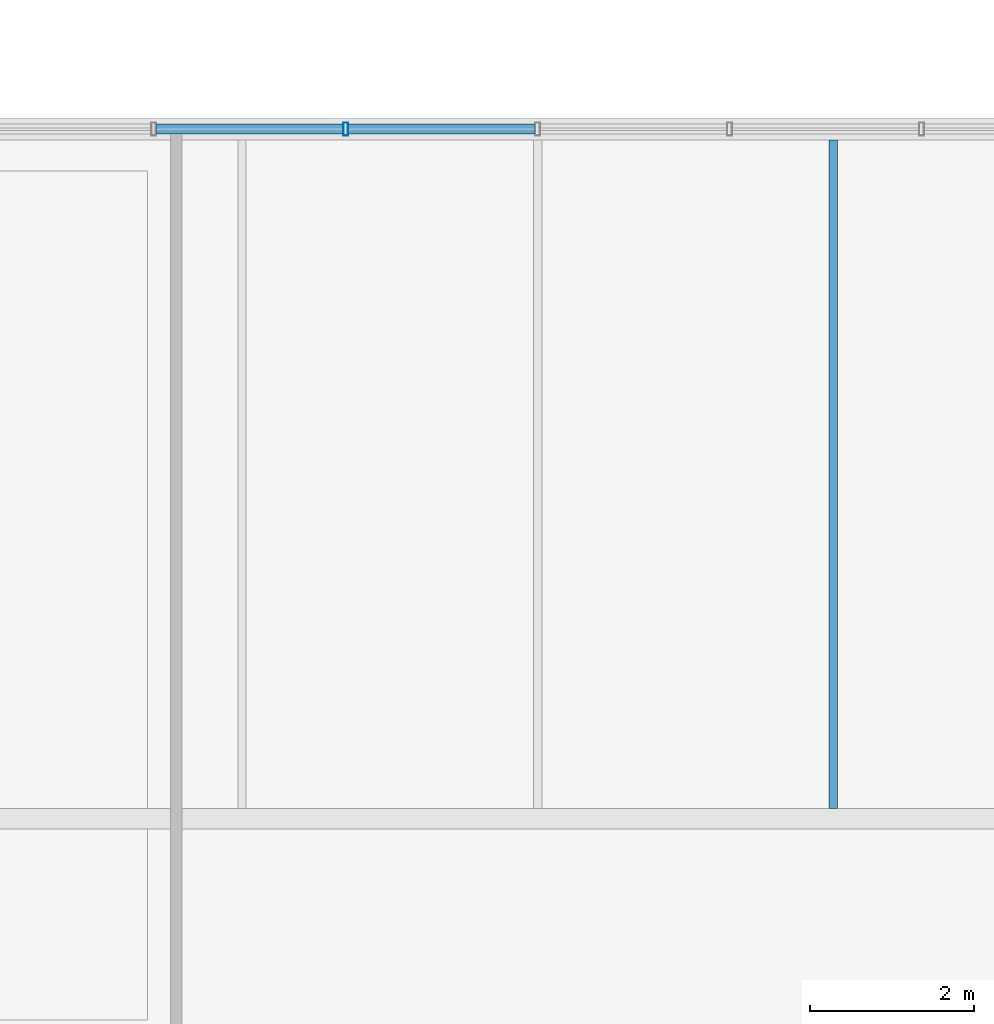
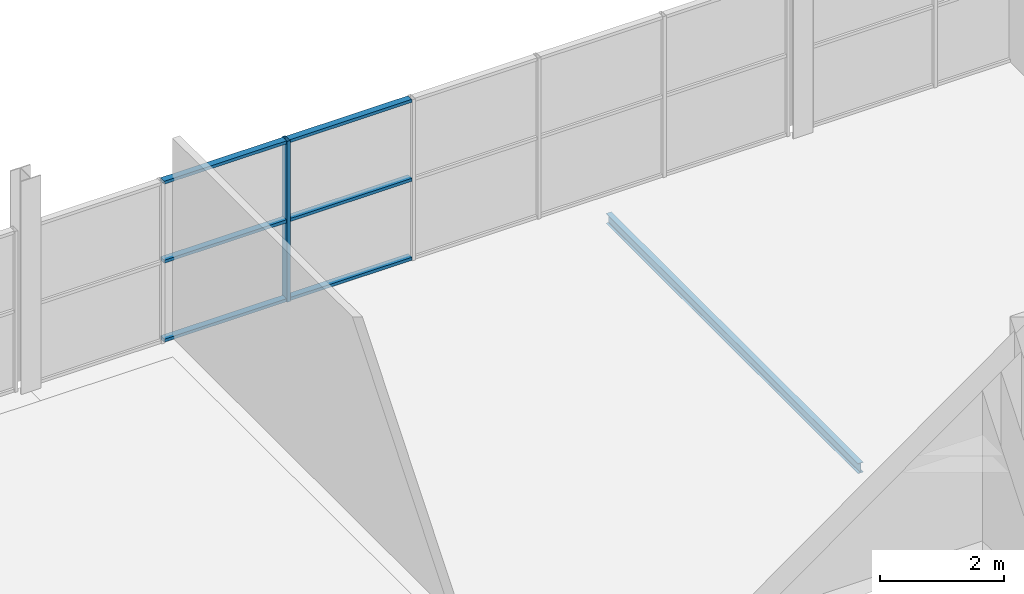
# One storey, part 77 of 161: 7 members, 1 beam, 1 element without a shape of its own.
"""IFC4 building model written with IfcOpenShell, lengths in metres."""

from ifc_helpers import new_model, si_unit, direction, frame, origin, origin_2d, place, context, subcontext, project, spatial, hollow_rectangle, i_section, extrude, material, material_profile, profile_set, type_object, element, aggregate, save


model = new_model("IFC4")

# Units and contexts
model_context = context("Model", 3, precision=1e-05, world=origin(), true_north=direction((0.0, 1.0)))
body_context = subcontext(model_context, "Body", "Model", "MODEL_VIEW")
ifc_project = project(units=[si_unit("LENGTHUNIT", "METRE"), si_unit("AREAUNIT", "SQUARE_METRE"), si_unit("VOLUMEUNIT", "CUBIC_METRE"), si_unit("PLANEANGLEUNIT", "RADIAN"), si_unit("MASSUNIT", "GRAM", prefix="KILO"), si_unit("THERMODYNAMICTEMPERATUREUNIT", "KELVIN")], contexts=[model_context])

# Site, building, storey
site_placement = place(None, origin())
site = spatial("IfcSite", under=ifc_project, at=site_placement, CompositionType="ELEMENT")
building_placement = place(site_placement, origin())
building = spatial("IfcBuilding", under=site, at=building_placement, Name="Nduvali Passage Aquatics Centre", CompositionType="ELEMENT")
storey_placement = place(building_placement, frame((0.0, 0.0, 4.800048828125)))
storey = spatial("IfcBuildingStorey", under=building, at=storey_placement, Name="L01", CompositionType="ELEMENT", Elevation=4.800048828125)

# Curtain wall, members
ifc_material_1 = material(Name="Aluminium EN AW-6063 T6", Category="aluminium")
curtain_wall_type = type_object("IfcCurtainWallType", Name="ENV-CW-WELL", PredefinedType="NOTDEFINED", material=ifc_material_1)
curtain_wall_placement = place(storey_placement, origin())
curtain_wall = element("IfcCurtainWall", 1, at=curtain_wall_placement, inside=storey, type_object=curtain_wall_type, Name="L01 North Avenue Fitness CW 103", PredefinedType="NOTDEFINED")
ifc_material_profile_1 = material_profile(ifc_material_1, hollow_rectangle(XDim=0.06005859375, YDim=0.159912109375, WallThickness=0.00390625, at=origin_2d()), Name="ALU MULLION 60x160x4")
ifc_profile_set_1 = profile_set([ifc_material_profile_1], Name="Aluminium EN AW-6063 T6")
member_type_1 = type_object("IfcMemberType", Name="ENV-MEM-MUL60", PredefinedType="MULLION", material=ifc_profile_set_1)
member_1_placement = place(storey_placement, frame((73.26171875, 117.60009765625, 0.0), z_axis=(0.0, 0.0, 1.0), x_axis=(1.0, 0.0, 0.0)))
member_1 = element("IfcMember", 2, at=member_1_placement, type_object=member_type_1, Name="North Avenue Fitness CW Mullion 3", PredefinedType="MULLION", context=body_context, shape_type="SweptSolid", body=[
    extrude(hollow_rectangle(XDim=0.06005859375, YDim=0.159912109375, WallThickness=0.00390625, at=origin_2d()), origin(), (0.0, 0.0, 1.0), 3.173828125),
])
ifc_material_profile_2 = material_profile(ifc_material_1, hollow_rectangle(XDim=0.1201171875, YDim=0.06005859375, WallThickness=0.00390625, at=origin_2d()), Name="ALU TRANSOM 120x60x4")
ifc_profile_set_2 = profile_set([ifc_material_profile_2], Name="Aluminium EN AW-6063 T6")
member_type_2 = type_object("IfcMemberType", Name="ENV-MEM-TRN60", PredefinedType="USERDEFINED", material=ifc_profile_set_2)
member_2_placement = place(storey_placement, frame((70.95361328125, 117.60009765625, 0.030029296875), z_axis=(1.0, 0.0, 0.0), x_axis=(0.0, 1.0, 0.0)))
member_2 = element("IfcMember", 3, at=member_2_placement, type_object=member_type_2, Name="North Avenue Fitness CW Transom B2-R0", ObjectType="TRANSOM", PredefinedType="USERDEFINED", context=body_context, shape_type="SweptSolid", body=[
    extrude(hollow_rectangle(XDim=0.1201171875, YDim=0.06005859375, WallThickness=0.00390625, at=origin_2d()), origin(), (0.0, 0.0, 1.0), 2.278076171875),
])
member_3_placement = place(storey_placement, frame((70.95361328125, 117.60009765625, 1.5869140625), z_axis=(1.0, 0.0, 0.0), x_axis=(0.0, 1.0, 0.0)))
member_3 = element("IfcMember", 4, at=member_3_placement, type_object=member_type_2, Name="North Avenue Fitness CW Transom B2-R1", ObjectType="TRANSOM", PredefinedType="USERDEFINED", context=body_context, shape_type="SweptSolid", body=[
    extrude(hollow_rectangle(XDim=0.1201171875, YDim=0.06005859375, WallThickness=0.00390625, at=origin_2d()), origin(), (0.0, 0.0, 1.0), 2.278076171875),
])
member_4_placement = place(storey_placement, frame((70.95361328125, 117.60009765625, 3.143798828125), z_axis=(1.0, 0.0, 0.0), x_axis=(0.0, 1.0, 0.0)))
member_4 = element("IfcMember", 5, at=member_4_placement, type_object=member_type_2, Name="North Avenue Fitness CW Transom B2-R2", ObjectType="TRANSOM", PredefinedType="USERDEFINED", context=body_context, shape_type="SweptSolid", body=[
    extrude(hollow_rectangle(XDim=0.1201171875, YDim=0.06005859375, WallThickness=0.00390625, at=origin_2d()), origin(), (0.0, 0.0, 1.0), 2.278076171875),
])
member_5_placement = place(storey_placement, frame((73.291748046875, 117.60009765625, 0.030029296875), z_axis=(1.0, 0.0, 0.0), x_axis=(0.0, 1.0, 0.0)))
member_5 = element("IfcMember", 6, at=member_5_placement, type_object=member_type_2, Name="North Avenue Fitness CW Transom B3-R0", ObjectType="TRANSOM", PredefinedType="USERDEFINED", context=body_context, shape_type="SweptSolid", body=[
    extrude(hollow_rectangle(XDim=0.1201171875, YDim=0.06005859375, WallThickness=0.00390625, at=origin_2d()), origin(), (0.0, 0.0, 1.0), 2.2783203125),
])
member_6_placement = place(storey_placement, frame((73.291748046875, 117.60009765625, 1.5869140625), z_axis=(1.0, 0.0, 0.0), x_axis=(0.0, 1.0, 0.0)))
member_6 = element("IfcMember", 7, at=member_6_placement, type_object=member_type_2, Name="North Avenue Fitness CW Transom B3-R1", ObjectType="TRANSOM", PredefinedType="USERDEFINED", context=body_context, shape_type="SweptSolid", body=[
    extrude(hollow_rectangle(XDim=0.1201171875, YDim=0.06005859375, WallThickness=0.00390625, at=origin_2d()), origin(), (0.0, 0.0, 1.0), 2.2783203125),
])
member_7_placement = place(storey_placement, frame((73.291748046875, 117.60009765625, 3.143798828125), z_axis=(1.0, 0.0, 0.0), x_axis=(0.0, 1.0, 0.0)))
member_7 = element("IfcMember", 8, at=member_7_placement, type_object=member_type_2, Name="North Avenue Fitness CW Transom B3-R2", ObjectType="TRANSOM", PredefinedType="USERDEFINED", context=body_context, shape_type="SweptSolid", body=[
    extrude(hollow_rectangle(XDim=0.1201171875, YDim=0.06005859375, WallThickness=0.00390625, at=origin_2d()), origin(), (0.0, 0.0, 1.0), 2.2783203125),
])
aggregate(curtain_wall, [member_1, member_2, member_3, member_4, member_5, member_6, member_7])

# Beam
ifc_material_2 = material(Name="Steel S355", Category="steel")
ifc_material_profile_3 = material_profile(ifc_material_2, i_section(OverallWidth=0.10009765625, OverallDepth=0.199951171875, WebThickness=0.005615234375, FlangeThickness=0.008544921875, FilletRadius=0.011962890625, at=origin_2d()), Name="IPE 200")
ifc_profile_set_3 = profile_set([ifc_material_profile_3], Name="Steel S355")
beam_type = type_object("IfcBeamType", Name="STR-JST-IPE200", PredefinedType="JOIST", material=ifc_profile_set_3)
beam_placement = place(storey_placement, frame((79.199951171875, 109.326904296875, -0.384033203125), z_axis=(0.0, 1.0, 0.0), x_axis=(-1.0, 0.0, 0.0)))
element("IfcBeam", 9, at=beam_placement, inside=storey, type_object=beam_type, Name="L01 Secondary Joist J9A-0849", PredefinedType="JOIST", context=body_context, shape_type="SweptSolid", body=[
    extrude(i_section(OverallWidth=0.10009765625, OverallDepth=0.199951171875, WebThickness=0.005615234375, FlangeThickness=0.008544921875, FilletRadius=0.011962890625, at=origin_2d()), origin(), (0.0, 0.0, 1.0), 8.139892578125),
])

save(model, "model.ifc")
